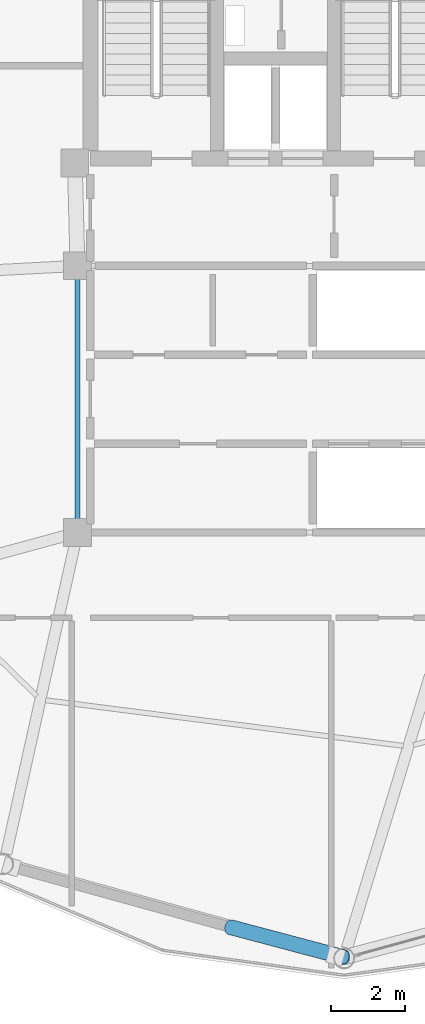
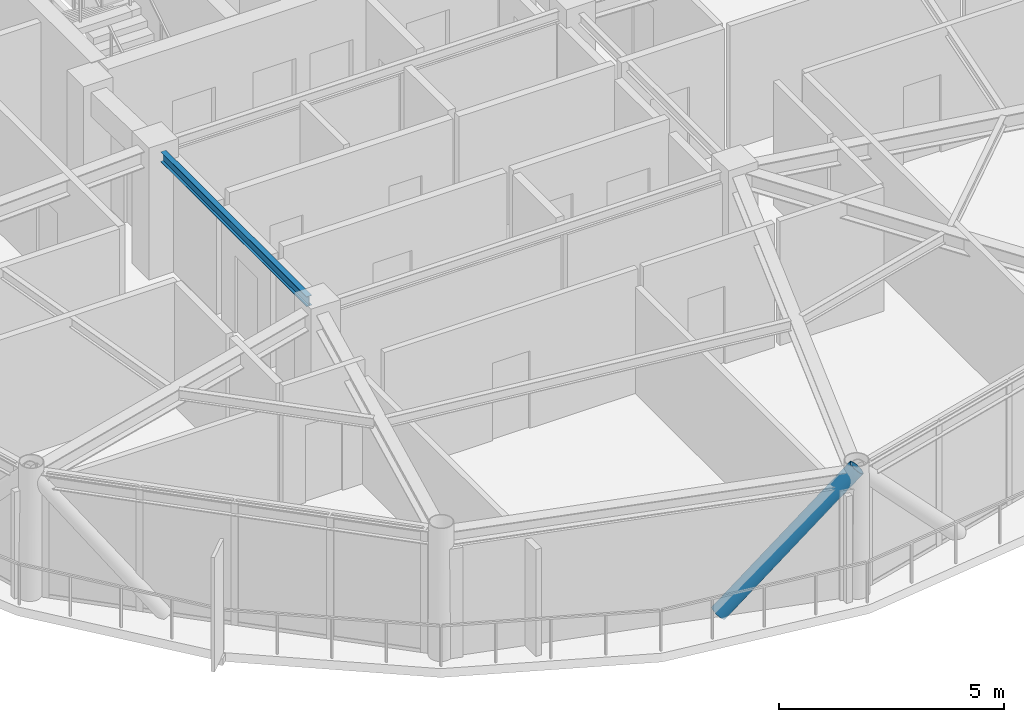
# One storey, part 6 of 27: 1 beam, 1 member.
"""IFC4 building model written with IfcOpenShell, lengths in metres."""

from ifc_helpers import new_model, si_unit, direction, frame, origin, origin_2d, place, context, subcontext, project, spatial, hollow_circle, i_section, extrude, material, material_profile, profile_set, type_object, element, save


model = new_model("IFC4")

# Units and contexts
model_context = context("Model", 3, precision=1e-05, world=origin(), true_north=direction((0.0, 1.0)))
body_context = subcontext(model_context, "Body", "Model", "MODEL_VIEW")
ifc_project = project(units=[si_unit("LENGTHUNIT", "METRE"), si_unit("AREAUNIT", "SQUARE_METRE"), si_unit("VOLUMEUNIT", "CUBIC_METRE"), si_unit("PLANEANGLEUNIT", "RADIAN"), si_unit("MASSUNIT", "GRAM", prefix="KILO")], contexts=[model_context])

# Site, building, storey
site_placement = place(None, origin())
site = spatial("IfcSite", under=ifc_project, at=site_placement, CompositionType="ELEMENT")
building_placement = place(site_placement, origin())
building = spatial("IfcBuilding", under=site, at=building_placement, Name="Varnakorn Sky Granary", CompositionType="ELEMENT")
storey_placement = place(building_placement, frame((0.0, 0.0, 245.39990234375)))
storey = spatial("IfcBuildingStorey", under=building, at=storey_placement, Name="L62", CompositionType="ELEMENT", Elevation=245.39990234375)

# Beam
ifc_material_1 = material(Name="Steel S355JR", Category="steel")
ifc_material_profile_1 = material_profile(ifc_material_1, i_section(OverallWidth=0.135009765625, OverallDepth=0.27001953125, WebThickness=0.006591796875, FlangeThickness=0.01025390625, at=origin_2d()), Name="IPE 270")
ifc_profile_set_1 = profile_set([ifc_material_profile_1], Name="Steel S355JR")
beam_type = type_object("IfcBeamType", Name="BM-SEC-Z5", PredefinedType="BEAM", material=ifc_profile_set_1)
beam_placement = place(storey_placement, frame((-2.35009765625, 0.2451171875, 3.22509765625), z_axis=(0.0, -1.0, 0.0), x_axis=(1.0, 0.0, 0.0)))
element("IfcBeam", 1, at=beam_placement, inside=storey, type_object=beam_type, Name="Core Spine Framing Beam 3 L62", PredefinedType="BEAM", context=body_context, shape_type="SweptSolid", body=[
    extrude(i_section(OverallWidth=0.135009765625, OverallDepth=0.27001953125, WebThickness=0.006591796875, FlangeThickness=0.01025390625, at=origin_2d()), origin(), (0.0, 0.0, 1.0), 6.490234375),
])

# Member
ifc_material_2 = material(Name="Steel S460M", Category="steel")
ifc_material_profile_2 = material_profile(ifc_material_2, hollow_circle(Radius=0.203125, WallThickness=0.01611328125, at=origin_2d()), Name="CHS 406.4x16")
ifc_profile_set_2 = profile_set([ifc_material_profile_2], Name="Steel S460M")
member_type = type_object("IfcMemberType", Name="MB-DIAG-T4", PredefinedType="BRACE", material=ifc_profile_set_2)
member_placement = place(storey_placement, frame((1.77880859375, -17.25830078125, 0.0), z_axis=(0.66412079342, -0.176166223183, 0.726573488063), x_axis=(0.256395145729, 0.966572050727, 0.0)))
element("IfcMember", 2, at=member_placement, inside=storey, type_object=member_type, Name="Perimeter CHS Diagrid Brace DG09 L62", PredefinedType="BRACE", context=body_context, shape_type="SweptSolid", body=[
    extrude(hollow_circle(Radius=0.203125, WallThickness=0.01611328125, at=origin_2d()), origin(), (0.0, 0.0, 1.0), 4.62451171875),
])

save(model, "model.ifc")
